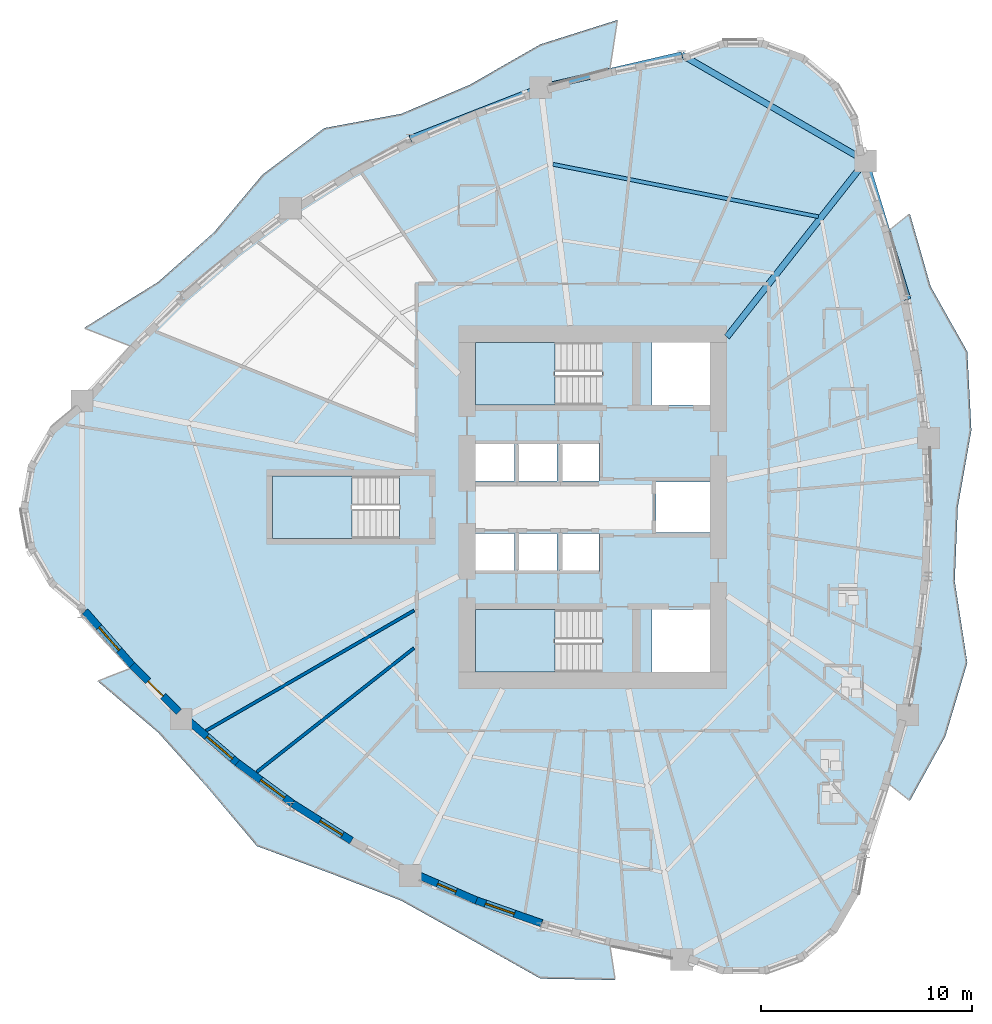
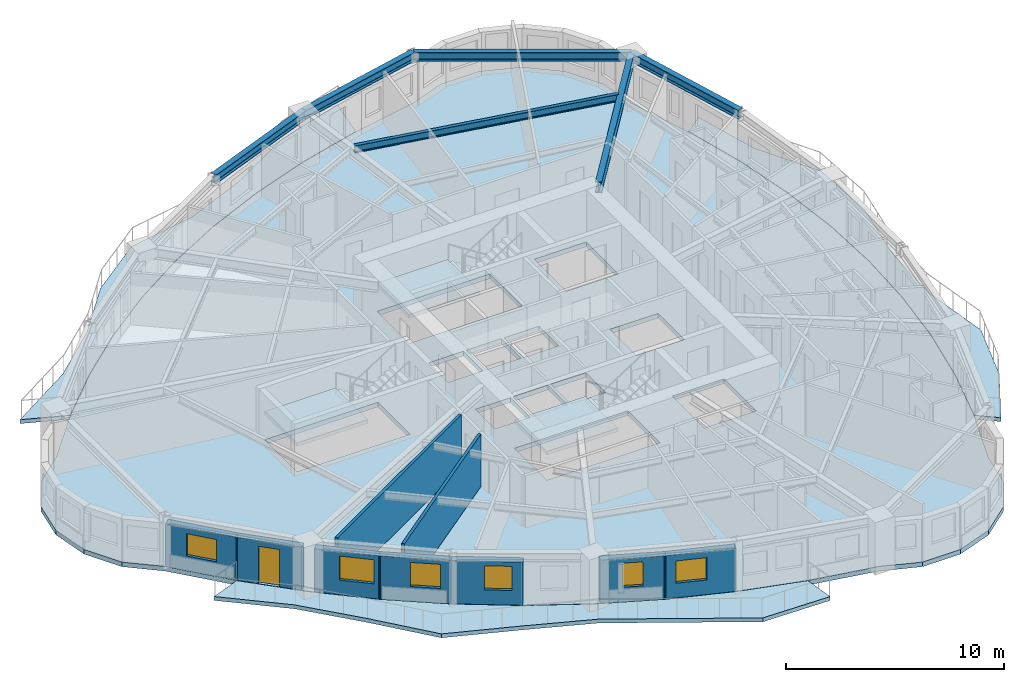
# One storey, part 2 of 13: 9 walls, 7 slabs, 6 beams, 6 windows, 1 door, 7 openings, 3 elements without a shape of their own.
"""IFC4 building model written with IfcOpenShell, lengths in metres."""

import ifcopenshell
import ifcopenshell.guid

model = None  # the IFC model being written
_history = None  # IfcOwnerHistory: only IFC2X3 demands one
_inside = {}  # id of a spatial element -> (the spatial element, [elements in it])
_under = {}  # id of a project, library or spatial element -> (it, [spatial elements below it])
_declared = {}  # id of a project -> (the project, [libraries it declares])
_typed = {}  # id of a type object -> (the type object, [elements of that type])
_made_of = {}  # id of a material, layer set ... -> (it, [elements and type objects made of it])


def new_model(schema):
    """Start an empty IFC model of exactly this schema.

    Asked for "IFC4X3", IfcOpenShell would pick the latest addendum, in which some entities
    have other attributes; the version numbers below select the first issue.
    IFC2X3 requires an IfcOwnerHistory on every rooted entity: one is made here for all.
    """
    global model, _history
    if schema == "IFC4X3":
        model = ifcopenshell.file(schema_version=(4, 3, 0, 0))
    else:
        model = ifcopenshell.file(schema=schema)
    _inside.clear()
    _under.clear()
    _declared.clear()
    _typed.clear()
    _made_of.clear()
    _history = None
    if model.schema == "IFC2X3":
        org = make("IfcOrganization", Name="unknown")
        user = make(
            "IfcPersonAndOrganization",
            ThePerson=make("IfcPerson", FamilyName="unknown"),
            TheOrganization=org,
        )
        app = make(
            "IfcApplication",
            ApplicationDeveloper=org,
            Version="unknown",
            ApplicationFullName="unknown",
            ApplicationIdentifier="unknown",
        )
        _history = make(
            "IfcOwnerHistory",
            OwningUser=user,
            OwningApplication=app,
            ChangeAction="ADDED",
            CreationDate=0,
        )
    return model


def make(cls, **values):
    """One entity of the class cls with the attributes given. An attribute that is None is left unset."""
    return model.create_entity(
        cls, **{name: value for name, value in values.items() if value is not None}
    )


def rooted(cls, **values):
    """An entity with a GlobalId (a new one), such as an element, a storey or a relation."""
    return make(cls, GlobalId=ifcopenshell.guid.new(), OwnerHistory=_history, **values)


def si_unit(unit_type, name, prefix=None):
    """IfcSIUnit, for example si_unit("LENGTHUNIT", "METRE", prefix="MILLI")."""
    return make("IfcSIUnit", UnitType=unit_type, Prefix=prefix, Name=name)


def assignment(units):
    """IfcUnitAssignment: the units of a project."""
    return None if units is None else make("IfcUnitAssignment", Units=units)


def point(xyz):
    """IfcCartesianPoint."""
    return None if xyz is None else make("IfcCartesianPoint", Coordinates=xyz)


def direction(xyz):
    """IfcDirection."""
    return None if xyz is None else make("IfcDirection", DirectionRatios=xyz)


def frame(location, z_axis=None, x_axis=None):
    """IfcAxis2Placement3D, a coordinate frame: its origin and axes. An axis left out is left unset."""
    return make(
        "IfcAxis2Placement3D",
        Location=point(location),
        Axis=direction(z_axis),
        RefDirection=direction(x_axis),
    )


def frame_2d(location, x_axis=None):
    """IfcAxis2Placement2D, a coordinate frame in the plane: its origin and x axis."""
    return make(
        "IfcAxis2Placement2D", Location=point(location), RefDirection=direction(x_axis)
    )


def origin():
    """The frame at (0, 0, 0) with its axes left unset."""
    return frame((0.0, 0.0, 0.0))


def origin_2d():
    """The frame at (0, 0) in the plane with its x axis left unset."""
    return frame_2d((0.0, 0.0))


def place(relative_to, where):
    """IfcLocalPlacement: puts the frame where relative to a parent placement (None: the world)."""
    return make(
        "IfcLocalPlacement", PlacementRelTo=relative_to, RelativePlacement=where
    )


def context(
    kind, dimensions, precision=None, world=None, true_north=None, identifier=None
):
    """IfcGeometricRepresentationContext, for example the 3D "Model" context."""
    return make(
        "IfcGeometricRepresentationContext",
        ContextIdentifier=identifier,
        ContextType=kind,
        CoordinateSpaceDimension=dimensions,
        Precision=precision,
        WorldCoordinateSystem=world,
        TrueNorth=true_north,
    )


def subcontext(parent, identifier, kind, view, scale=None):
    """IfcGeometricRepresentationSubContext, for example "Body" below "Model"."""
    return make(
        "IfcGeometricRepresentationSubContext",
        ContextIdentifier=identifier,
        ContextType=kind,
        ParentContext=parent,
        TargetScale=scale,
        TargetView=view,
    )


def project(units=None, contexts=None):
    """IfcProject with its units and contexts."""
    return rooted(
        "IfcProject",
        Name="project",
        RepresentationContexts=contexts,
        UnitsInContext=assignment(units),
    )


def spatial(cls, under=None, at=None, **own):
    """A site, building, storey or space (cls), placed at a placement, below another one or the project."""
    s = rooted(cls, ObjectPlacement=at, **own)
    if under is not None:
        _under.setdefault(under.id(), (under, []))[1].append(s)
    return s


def polyline(points):
    """IfcPolyline through the points."""
    return make("IfcPolyline", Points=[point(p) for p in points])


def profile(cls, at=None, kind="AREA", **sizes):
    """A parametric profile (cls). Its sizes go by their IFC names, for example OverallWidth=200.0."""
    return make(cls, ProfileType=kind, Position=at, **sizes)


def rectangle(**sizes):
    """IfcRectangleProfileDef."""
    return profile("IfcRectangleProfileDef", **sizes)


def i_section(**sizes):
    """IfcIShapeProfileDef."""
    return profile("IfcIShapeProfileDef", **sizes)


def outline(outer, holes=None, kind="AREA"):
    """IfcArbitraryClosedProfileDef: a profile drawn as a closed curve; with holes, ...WithVoids."""
    if holes is None:
        return make("IfcArbitraryClosedProfileDef", ProfileType=kind, OuterCurve=outer)
    return make(
        "IfcArbitraryProfileDefWithVoids",
        ProfileType=kind,
        OuterCurve=outer,
        InnerCurves=holes,
    )


def extrude(swept, where, along, depth):
    """IfcExtrudedAreaSolid: the profile swept, set in the frame where, extruded along a direction by depth."""
    return make(
        "IfcExtrudedAreaSolid",
        SweptArea=swept,
        Position=where,
        ExtrudedDirection=direction(along),
        Depth=depth,
    )


def shape(context_of_items, identifier, shape_type, items):
    """IfcShapeRepresentation: the items that make up one representation, for example the "Body"."""
    return make(
        "IfcShapeRepresentation",
        ContextOfItems=context_of_items,
        RepresentationIdentifier=identifier,
        RepresentationType=shape_type,
        Items=items,
    )


def source(mapping_origin, context_of_items, identifier, shape_type, items):
    """IfcRepresentationMap: a shape defined once, which mapped items show again and again."""
    return make(
        "IfcRepresentationMap",
        MappingOrigin=mapping_origin,
        MappedRepresentation=shape(context_of_items, identifier, shape_type, items),
    )


def transform(
    local_origin,
    x_axis=None,
    y_axis=None,
    z_axis=None,
    scale=None,
    scale2=None,
    scale3=None,
    uniform=True,
):
    """IfcCartesianTransformationOperator3D, or its non-uniform kind. x_axis, y_axis, z_axis: its Axis1, 2, 3."""
    if uniform:
        return make(
            "IfcCartesianTransformationOperator3D",
            Axis1=direction(x_axis),
            Axis2=direction(y_axis),
            LocalOrigin=point(local_origin),
            Scale=scale,
            Axis3=direction(z_axis),
        )
    return make(
        "IfcCartesianTransformationOperator3DnonUniform",
        Axis1=direction(x_axis),
        Axis2=direction(y_axis),
        LocalOrigin=point(local_origin),
        Scale=scale,
        Axis3=direction(z_axis),
        Scale2=scale2,
        Scale3=scale3,
    )


def mapped(mapping_source, mapping_target):
    """IfcMappedItem: shows the shape of a source again, moved by a transform."""
    return make(
        "IfcMappedItem", MappingSource=mapping_source, MappingTarget=mapping_target
    )


def material(Name=None, Category=None):
    """IfcMaterial."""
    return make("IfcMaterial", Name=Name, Category=Category)


def layer(
    of_material, thickness, ventilated=None, Name=None, Category=None, Priority=None
):
    """IfcMaterialLayer: one layer of a wall or slab, of a material (None: an air gap)."""
    return make(
        "IfcMaterialLayer",
        Material=of_material,
        LayerThickness=thickness,
        IsVentilated=ventilated,
        Name=Name,
        Category=Category,
        Priority=Priority,
    )


def layer_set(layers, Name=None):
    """IfcMaterialLayerSet."""
    return make("IfcMaterialLayerSet", MaterialLayers=layers, LayerSetName=Name)


def material_profile(
    of_material, cross_section, Name=None, Category=None, Priority=None
):
    """IfcMaterialProfile: a cross section and its material."""
    return make(
        "IfcMaterialProfile",
        Name=Name,
        Material=of_material,
        Profile=cross_section,
        Priority=Priority,
        Category=Category,
    )


def profile_set(profiles, Name=None, composite=None):
    """IfcMaterialProfileSet."""
    return make(
        "IfcMaterialProfileSet",
        Name=Name,
        MaterialProfiles=profiles,
        CompositeProfile=composite,
    )


def made_of(thing, what):
    """Note that an element or type object is made of a material, layer set ...; save() writes the relation."""
    if what is not None:
        _made_of.setdefault(what.id(), (what, []))[1].append(thing)
    return thing


def type_object(cls, material=None, **own):
    """A type object (cls), such as IfcWallType, which elements share."""
    return made_of(rooted(cls, **own), material)


def element(
    cls,
    number,
    at=None,
    inside=None,
    cuts=None,
    type_object=None,
    material=None,
    context=None,
    identifier="Body",
    shape_type=None,
    held_by="IfcProductDefinitionShape",
    body=None,
    shapes=None,
    **own,
):
    """One element of the class cls, such as IfcWall. Its Tag is "e" and its number.

    at: its placement. inside: the storey or other place that contains it. cuts: it is an
    opening in that element (IfcRelVoidsElement). A single representation is given by context,
    identifier, shape_type and body (its items); several are given by shapes. held_by: the class
    of the entity that holds the representations. save() writes the other relations.
    """
    e = rooted(cls, Tag="e%d" % number, ObjectPlacement=at, **own)
    if body is not None:
        shapes = [shape(context, identifier, shape_type, body)]
    if shapes is not None:
        e.Representation = make(held_by, Representations=shapes)
    if inside is not None:
        _inside.setdefault(inside.id(), (inside, []))[1].append(e)
    if cuts is not None:
        rooted(
            "IfcRelVoidsElement", RelatingBuildingElement=cuts, RelatedOpeningElement=e
        )
    if type_object is not None:
        _typed.setdefault(type_object.id(), (type_object, []))[1].append(e)
    return made_of(e, material)


def fill(opening, filler):
    """IfcRelFillsElement: the door or window that sits in an opening."""
    return rooted(
        "IfcRelFillsElement",
        RelatingOpeningElement=opening,
        RelatedBuildingElement=filler,
    )


def aggregate(whole, parts):
    """IfcRelAggregates: a whole, such as a stair, and the parts it consists of."""
    return rooted("IfcRelAggregates", RelatingObject=whole, RelatedObjects=parts)


def save(model, path):
    """Write the relations noted so far, then the file.

    IfcRelAggregates (storeys below a building ...), IfcRelContainedInSpatialStructure (elements
    in a storey), IfcRelDefinesByType, IfcRelAssociatesMaterial and IfcRelDeclares: one each for
    every whole, place, type object, material and project.
    """
    for whole, parts in _under.values():
        aggregate(whole, parts)
    for where, things in _inside.values():
        rooted(
            "IfcRelContainedInSpatialStructure",
            RelatedElements=things,
            RelatingStructure=where,
        )
    for kind, things in _typed.values():
        rooted("IfcRelDefinesByType", RelatedObjects=things, RelatingType=kind)
    for what, things in _made_of.values():
        rooted("IfcRelAssociatesMaterial", RelatedObjects=things, RelatingMaterial=what)
    for by, libraries in _declared.values():
        rooted("IfcRelDeclares", RelatingContext=by, RelatedDefinitions=libraries)
    model.write(path)


model = new_model("IFC4")

# Units and contexts
model_context = context("Model", 3, precision=1e-05, world=origin(), true_north=direction((0.0, 1.0)))
body_context = subcontext(model_context, "Body", "Model", "MODEL_VIEW")
ifc_project = project(units=[si_unit("LENGTHUNIT", "METRE"), si_unit("AREAUNIT", "SQUARE_METRE"), si_unit("VOLUMEUNIT", "CUBIC_METRE"), si_unit("PLANEANGLEUNIT", "RADIAN"), si_unit("MASSUNIT", "GRAM", prefix="KILO")], contexts=[model_context])

# Site, building, storey
site_placement = place(None, origin())
site = spatial("IfcSite", under=ifc_project, at=site_placement, CompositionType="ELEMENT")
building_placement = place(site_placement, origin())
building = spatial("IfcBuilding", under=site, at=building_placement, Name="Qafzar Sky-Pleat Residences", CompositionType="ELEMENT")
storey_placement = place(building_placement, frame((0.0, 0.0, 55.800048828125)))
storey = spatial("IfcBuildingStorey", under=building, at=storey_placement, Name="L16", CompositionType="ELEMENT", Elevation=55.800048828125)

# Beams
ifc_material_1 = material(Name="Steel S355", Category="steel")
ifc_material_profile_1 = material_profile(ifc_material_1, i_section(OverallWidth=0.300048828125, OverallDepth=0.5, WebThickness=0.014404296875, FlangeThickness=0.028076171875, FilletRadius=0.027099609375, at=origin_2d()), Name="HEB 500")
ifc_profile_set_1 = profile_set([ifc_material_profile_1], Name="Steel S355")
beam_type_1 = type_object("IfcBeamType", Name="BM-SPAN-HEB500", PredefinedType="SPANDREL", material=ifc_profile_set_1)
shared_shape_1 = source(origin(), body_context, "Body", "SweptSolid", [
    extrude(i_section(OverallWidth=0.300048828125, OverallDepth=0.5, WebThickness=0.014404296875, FlangeThickness=0.028076171875, FilletRadius=0.027099609375, at=origin_2d()), origin(), (0.0, 0.0, 1.0), 10.0458984375),
])
beam_1_placement = place(storey_placement, frame((43.262451171875, 42.389404296875, 2.68798828125), z_axis=(-0.866013584312, 0.500020471368, 0.0), x_axis=(-0.500020471368, -0.866013584312, 0.0)))
element("IfcBeam", 1, at=beam_1_placement, inside=storey, type_object=beam_type_1, Name="L16 Perimeter Spandrel Beam 13", PredefinedType="SPANDREL", context=body_context, shape_type="MappedRepresentation", body=[
    mapped(shared_shape_1, transform((0.0, 0.0, 0.0), x_axis=(1.0, 0.0, 0.0), y_axis=(0.0, 1.0, 0.0), z_axis=(0.0, 0.0, 1.0), scale=1.0)),
])
shared_shape_2 = source(origin(), body_context, "Body", "SweptSolid", [
    extrude(i_section(OverallWidth=0.300048828125, OverallDepth=0.5, WebThickness=0.014404296875, FlangeThickness=0.028076171875, FilletRadius=0.027099609375, at=origin_2d()), origin(), (0.0, 0.0, 1.0), 6.85205078125),
])
for number, where, z_axis, x_axis, name in (
    (2, (45.255615234375, 35.833740234375, 2.68798828125), (-0.290889380192, 0.95675669242, 0.0), (-0.95675669242, -0.290889380192, 0.0), "L16 Perimeter Spandrel Beam 12"),
    (3, (34.5625, 47.41259765625, 2.68798828125), (-0.974011500326, -0.226498559007, 0.0), (0.226498559007, -0.974011500326, 0.0), "L16 Perimeter Spandrel Beam 14"),
):
    element("IfcBeam", number, at=place(storey_placement, frame(where, z_axis=z_axis, x_axis=x_axis)), inside=storey, type_object=beam_type_1, Name=name, PredefinedType="SPANDREL", context=body_context, shape_type="MappedRepresentation", body=[
        mapped(shared_shape_2, transform((0.0, 0.0, 0.0), x_axis=(1.0, 0.0, 0.0), y_axis=(0.0, 1.0, 0.0), z_axis=(0.0, 0.0, 1.0), scale=1.0)),
    ])
shared_shape_3 = source(origin(), body_context, "Body", "SweptSolid", [
    extrude(i_section(OverallWidth=0.300048828125, OverallDepth=0.5, WebThickness=0.014404296875, FlangeThickness=0.028076171875, FilletRadius=0.027099609375, at=origin_2d()), origin(), (0.0, 0.0, 1.0), 6.630859375),
])
beam_2_placement = place(storey_placement, frame((27.888427734375, 45.860595703125, 2.68798828125), z_axis=(-0.931318267356, -0.364206376782, 0.0), x_axis=(0.364206376782, -0.931318267356, 0.0)))
element("IfcBeam", 4, at=beam_2_placement, inside=storey, type_object=beam_type_1, Name="L16 Perimeter Spandrel Beam 15", PredefinedType="SPANDREL", context=body_context, shape_type="MappedRepresentation", body=[
    mapped(shared_shape_3, transform((0.0, 0.0, 0.0), x_axis=(1.0, 0.0, 0.0), y_axis=(0.0, 1.0, 0.0), z_axis=(0.0, 0.0, 1.0), scale=1.0)),
])
ifc_material_profile_2 = material_profile(ifc_material_1, i_section(OverallWidth=0.300048828125, OverallDepth=0.60009765625, WebThickness=0.015380859375, FlangeThickness=0.030029296875, FilletRadius=0.027099609375, at=origin_2d()), Name="HEB 600")
ifc_profile_set_2 = profile_set([ifc_material_profile_2], Name="Steel S355")
beam_type_2 = type_object("IfcBeamType", Name="BM-GIRD-HEB600", PredefinedType="BEAM", material=ifc_profile_set_2)
shared_shape_4 = source(origin(), body_context, "Body", "SweptSolid", [
    extrude(i_section(OverallWidth=0.300048828125, OverallDepth=0.60009765625, WebThickness=0.015380859375, FlangeThickness=0.030029296875, FilletRadius=0.027099609375, at=origin_2d()), origin(), (0.0, 0.0, 1.0), 10.604248046875),
])
beam_3_placement = place(storey_placement, frame((43.262451171875, 42.389404296875, 2.637939453125), z_axis=(-0.618860173659, -0.785501168337, 0.0), x_axis=(0.785501168337, -0.618860173659, 0.0)))
element("IfcBeam", 5, at=beam_3_placement, inside=storey, type_object=beam_type_2, Name="L16 Radial Floor Girder 13", PredefinedType="BEAM", context=body_context, shape_type="MappedRepresentation", body=[
    mapped(shared_shape_4, transform((0.0, 0.0, 0.0), x_axis=(1.0, 0.0, 0.0), y_axis=(0.0, 1.0, 0.0), z_axis=(0.0, 0.0, 1.0), scale=1.0)),
])
ifc_material_profile_3 = material_profile(ifc_material_1, i_section(OverallWidth=0.179931640625, OverallDepth=0.39990234375, WebThickness=0.008544921875, FlangeThickness=0.013427734375, FilletRadius=0.02099609375, at=origin_2d()), Name="IPE 400")
ifc_profile_set_3 = profile_set([ifc_material_profile_3], Name="Steel S355")
beam_type_3 = type_object("IfcBeamType", Name="BM-JST-IPE400", PredefinedType="JOIST", material=ifc_profile_set_3)
shared_shape_5 = source(origin(), body_context, "Body", "SweptSolid", [
    extrude(i_section(OverallWidth=0.179931640625, OverallDepth=0.39990234375, WebThickness=0.008544921875, FlangeThickness=0.013427734375, FilletRadius=0.02099609375, at=origin_2d()), origin(), (0.0, 0.0, 1.0), 12.80517578125),
])
beam_4_placement = place(storey_placement, frame((41.030029296875, 39.750244140625, 2.738037109375), z_axis=(-0.981055151517, 0.193728649615, 0.0), x_axis=(-0.193728649615, -0.981055151517, 0.0)))
element("IfcBeam", 6, at=beam_4_placement, inside=storey, type_object=beam_type_3, Name="L16 Outer Secondary Floor Joist 7", PredefinedType="JOIST", context=body_context, shape_type="MappedRepresentation", body=[
    mapped(shared_shape_5, transform((0.0, 0.0, 0.0), x_axis=(1.0, 0.0, 0.0), y_axis=(0.0, 1.0, 0.0), z_axis=(0.0, 0.0, 1.0), scale=1.0)),
])

# Slabs
ifc_material_2 = material(Name="Concrete C40/50", Category="concrete")
ifc_layer_1 = layer(ifc_material_2, 0.219970703125)
ifc_layer_set_1 = layer_set([ifc_layer_1], Name="Concrete C40/50")
slab_type_1 = type_object("IfcSlabType", Name="SLAB-BAL-220", PredefinedType="USERDEFINED", material=ifc_layer_set_1)
slab_1_placement = place(storey_placement, frame((0.0, 0.0, -0.219970703125)))
element("IfcSlab", 7, at=slab_1_placement, inside=storey, type_object=slab_type_1, Name="L16 Pleated Stone Balcony 1", ObjectType="BALCONY", PredefinedType="USERDEFINED", context=body_context, shape_type="SweptSolid", body=[
    extrude(outline(polyline([(45.265869140625, 16.160400390625), (45.8896484375, 19.440185546875), (46.263916015625, 22.719970703125), (46.388427734375, 26.0), (46.263916015625, 29.280029296875), (45.8896484375, 32.559814453125), (45.265869140625, 35.839599609375), (44.392822265625, 39.119140625), (45.359375, 39.892578125), (46.341552734375, 36.45263671875), (48.077880859375, 33.3623046875), (48.269775390625, 29.640380859375), (47.62646484375, 26.0), (47.482421875, 22.501220703125), (48.077880859375, 18.6376953125), (47.03662109375, 15.1513671875), (45.359375, 12.107421875), (44.392822265625, 12.880859375), (45.265869140625, 16.160400390625)])), origin(), (0.0, 0.0, 1.0), 0.219970703125),
])
slab_2_placement = place(storey_placement, frame((0.0, 0.0, -0.219970703125)))
element("IfcSlab", 8, at=slab_2_placement, inside=storey, type_object=slab_type_1, Name="L16 Pleated Stone Balcony 2", ObjectType="BALCONY", PredefinedType="USERDEFINED", context=body_context, shape_type="SweptSolid", body=[
    extrude(outline(polyline([(27.888427734375, 45.87255859375), (24.736328125, 44.772705078125), (21.708740234375, 43.456787109375), (18.8056640625, 41.9248046875), (16.027587890625, 40.177001953125), (13.374267578125, 38.212890625), (10.845703125, 36.032958984375), (8.44189453125, 33.63720703125), (6.27099609375, 34.485107421875), (9.777099609375, 36.657958984375), (12.423828125, 39.00634765625), (14.712646484375, 41.73388671875), (17.640380859375, 43.943359375), (21.2890625, 44.62158203125), (24.5244140625, 45.992431640625), (27.876953125, 47.910400390625), (31.516357421875, 49.060302734375), (31.1650390625, 46.75634765625), (27.888427734375, 45.87255859375)])), origin(), (0.0, 0.0, 1.0), 0.219970703125),
])
slab_3_placement = place(storey_placement, frame((0.0, 0.0, -0.219970703125)))
element("IfcSlab", 9, at=slab_3_placement, inside=storey, type_object=slab_type_1, Name="L16 Pleated Stone Balcony 3", ObjectType="BALCONY", PredefinedType="USERDEFINED", context=body_context, shape_type="SweptSolid", body=[
    extrude(outline(polyline([(10.845703125, 15.967041015625), (13.374267578125, 13.787109375), (16.027587890625, 11.822998046875), (18.8056640625, 10.0751953125), (21.708740234375, 8.543212890625), (24.736328125, 7.227294921875), (27.888427734375, 6.12744140625), (31.1650390625, 5.24365234375), (31.411865234375, 3.62451171875), (27.874755859375, 3.689453125), (24.455810546875, 5.613525390625), (21.2890625, 7.37841796875), (17.98681640625, 8.656494140625), (14.45458984375, 9.96044921875), (12.116943359375, 12.7373046875), (9.777099609375, 15.342041015625), (6.916259765625, 17.76708984375), (8.44189453125, 18.36279296875), (10.845703125, 15.967041015625)])), origin(), (0.0, 0.0, 1.0), 0.219970703125),
])
ifc_layer_2 = layer(ifc_material_2, 0.260009765625)
ifc_layer_set_2 = layer_set([ifc_layer_2], Name="Concrete C40/50")
slab_type_2 = type_object("IfcSlabType", Name="SLAB-FLR-260", PredefinedType="FLOOR", material=ifc_layer_set_2)
slab_4_placement = place(storey_placement, frame((0.0, 0.0, -0.260009765625)))
element("IfcSlab", 10, at=slab_4_placement, inside=storey, type_object=slab_type_2, Name="L16 Structural Floor Slab", PredefinedType="FLOOR", context=body_context, shape_type="SweptSolid", body=[
    extrude(outline(polyline([(6.175048828125, 31.02294921875), (4.6318359375, 29.728271484375), (3.624755859375, 27.983642578125), (3.27490234375, 26.0), (3.624755859375, 24.016357421875), (4.6318359375, 22.271728515625), (6.175048828125, 20.97705078125), (8.453125, 18.3671875), (10.85595703125, 15.97314453125), (13.38330078125, 13.794921875), (16.035400390625, 11.832275390625), (18.811767578125, 10.08544921875), (21.712890625, 8.554443359375), (24.73828125, 7.239013671875), (27.888427734375, 6.139404296875), (31.1630859375, 5.255615234375), (34.5625, 4.58740234375), (36.455322265625, 3.898681640625), (38.4697265625, 3.898681640625), (40.362548828125, 4.58740234375), (41.905517578125, 5.88232421875), (42.91259765625, 7.626708984375), (43.262451171875, 9.610595703125), (44.383544921875, 12.888427734375), (45.255615234375, 16.166259765625), (45.87841796875, 19.444091796875), (46.251953125, 22.72216796875), (46.37646484375, 26.0), (46.251953125, 29.27783203125), (45.87841796875, 32.555908203125), (45.255615234375, 35.833740234375), (44.383544921875, 39.111572265625), (43.262451171875, 42.389404296875), (42.91259765625, 44.373291015625), (41.905517578125, 46.11767578125), (40.362548828125, 47.41259765625), (38.4697265625, 48.101318359375), (36.455322265625, 48.101318359375), (34.5625, 47.41259765625), (31.1630859375, 46.744384765625), (27.888427734375, 45.860595703125), (24.73828125, 44.760986328125), (21.712890625, 43.445556640625), (18.811767578125, 41.91455078125), (16.035400390625, 40.167724609375), (13.38330078125, 38.205078125), (10.85595703125, 36.02685546875), (8.453125, 33.6328125), (6.175048828125, 31.02294921875)]), holes=[polyline([(30.797119140625, 21.14990234375), (24.800048828125, 21.14990234375), (24.800048828125, 18.199951171875), (30.797119140625, 18.199951171875), (30.797119140625, 21.14990234375)]), polyline([(30.797119140625, 33.800048828125), (24.800048828125, 33.800048828125), (24.800048828125, 30.85009765625), (30.797119140625, 30.85009765625), (30.797119140625, 33.800048828125)]), polyline([(21.197021484375, 27.47509765625), (15.199951171875, 27.47509765625), (15.199951171875, 24.52490234375), (21.197021484375, 24.52490234375), (21.197021484375, 27.47509765625)]), polyline([(24.800048828125, 22.949951171875), (26.64990234375, 22.949951171875), (26.64990234375, 24.75), (24.800048828125, 24.75), (24.800048828125, 22.949951171875)]), polyline([(26.800048828125, 22.949951171875), (28.64990234375, 22.949951171875), (28.64990234375, 24.75), (26.800048828125, 24.75), (26.800048828125, 22.949951171875)]), polyline([(28.800048828125, 22.949951171875), (30.64990234375, 22.949951171875), (30.64990234375, 24.75), (28.800048828125, 24.75), (28.800048828125, 22.949951171875)]), polyline([(24.800048828125, 27.25), (26.64990234375, 27.25), (26.64990234375, 29.050048828125), (24.800048828125, 29.050048828125), (24.800048828125, 27.25)]), polyline([(26.800048828125, 27.25), (28.64990234375, 27.25), (28.64990234375, 29.050048828125), (26.800048828125, 29.050048828125), (26.800048828125, 27.25)]), polyline([(28.800048828125, 27.25), (30.64990234375, 27.25), (30.64990234375, 29.050048828125), (28.800048828125, 29.050048828125), (28.800048828125, 27.25)]), polyline([(33.14990234375, 18.199951171875), (35.89990234375, 18.199951171875), (35.89990234375, 21.14990234375), (33.14990234375, 21.14990234375), (33.14990234375, 18.199951171875)]), polyline([(33.14990234375, 30.85009765625), (35.89990234375, 30.85009765625), (35.89990234375, 33.800048828125), (33.14990234375, 33.800048828125), (33.14990234375, 30.85009765625)]), polyline([(33.35009765625, 24.800048828125), (35.89990234375, 24.800048828125), (35.89990234375, 27.199951171875), (33.35009765625, 27.199951171875), (33.35009765625, 24.800048828125)])]), origin(), (0.0, 0.0, 1.0), 0.260009765625),
])

# Stair, slab
stair_type = type_object("IfcStairType", Name="STAIR-H320", PredefinedType="HALF_TURN_STAIR", material=ifc_material_2)
stair_1_placement = place(storey_placement, origin())
stair_1 = element("IfcStair", 11, at=stair_1_placement, inside=storey, type_object=stair_type, Name="L16 Protected Exit Stair ST1", PredefinedType="HALF_TURN_STAIR")
ifc_layer_3 = layer(ifc_material_2, 0.199951171875)
ifc_layer_set_3 = layer_set([ifc_layer_3], Name="Concrete C40/50")
slab_type_3 = type_object("IfcSlabType", Name="SLAB-LANDING-200", PredefinedType="LANDING", material=ifc_layer_set_3)
slab_5_placement = place(storey_placement, frame((0.0, 0.0, 1.39990234375)))
slab_5 = element("IfcSlab", 12, at=slab_5_placement, type_object=slab_type_3, Name="ST1 landing 1", PredefinedType="LANDING", context=body_context, shape_type="SweptSolid", body=[
    extrude(outline(polyline([(28.56005859375, 21.14990234375), (24.800048828125, 21.14990234375), (24.800048828125, 18.199951171875), (28.56005859375, 18.199951171875), (28.56005859375, 21.14990234375)])), origin(), (0.0, 0.0, 1.0), 0.199951171875),
])
aggregate(stair_1, [slab_5])

stair_2_placement = place(storey_placement, origin())
stair_2 = element("IfcStair", 13, at=stair_2_placement, inside=storey, type_object=stair_type, Name="L16 Protected Exit Stair ST2", PredefinedType="HALF_TURN_STAIR")
slab_6_placement = place(storey_placement, frame((0.0, 0.0, 1.39990234375)))
slab_6 = element("IfcSlab", 14, at=slab_6_placement, type_object=slab_type_3, Name="ST2 landing 1", PredefinedType="LANDING", context=body_context, shape_type="SweptSolid", body=[
    extrude(outline(polyline([(28.56005859375, 33.800048828125), (24.800048828125, 33.800048828125), (24.800048828125, 30.85009765625), (28.56005859375, 30.85009765625), (28.56005859375, 33.800048828125)])), origin(), (0.0, 0.0, 1.0), 0.199951171875),
])
aggregate(stair_2, [slab_6])

stair_3_placement = place(storey_placement, origin())
stair_3 = element("IfcStair", 15, at=stair_3_placement, inside=storey, type_object=stair_type, Name="L16 Protected Exit Stair ST3", PredefinedType="HALF_TURN_STAIR")
slab_7_placement = place(storey_placement, frame((0.0, 0.0, 1.39990234375)))
slab_7 = element("IfcSlab", 16, at=slab_7_placement, type_object=slab_type_3, Name="ST3 landing 1", PredefinedType="LANDING", context=body_context, shape_type="SweptSolid", body=[
    extrude(outline(polyline([(18.9599609375, 27.47509765625), (15.199951171875, 27.47509765625), (15.199951171875, 24.52490234375), (18.9599609375, 24.52490234375), (18.9599609375, 27.47509765625)])), origin(), (0.0, 0.0, 1.0), 0.199951171875),
])
aggregate(stair_3, [slab_7])

# Walls
ifc_material_3 = material(Name="Acoustic gypsum plasterboard partition", Category="gypsum")
ifc_layer_4 = layer(ifc_material_3, 0.14501953125)
ifc_layer_set_4 = layer_set([ifc_layer_4], Name="Acoustic gypsum plasterboard partition")
wall_type_1 = type_object("IfcWallType", Name="PART-UNIT-145", PredefinedType="PARTITIONING", material=ifc_layer_set_4)
wall_1_placement = place(storey_placement, frame((12.048583984375, 15.42236328125, 0.0), z_axis=(0.0, 0.0, 1.0), x_axis=(0.865775806306, 0.500432066534, 0.0)))
element("IfcWall", 17, at=wall_1_placement, inside=storey, type_object=wall_type_1, Name="L16 Partition Wall PART-L16-PW-036", PredefinedType="PARTITIONING", context=body_context, shape_type="SweptSolid", body=[
    extrude(rectangle(XDim=11.375, YDim=0.14501953125, at=frame_2d((5.6875, 0.0))), origin(), (0.0, 0.0, 1.0), 2.93994140625),
])
wall_2_placement = place(storey_placement, frame((14.4521484375, 13.472900390625, 0.0), z_axis=(0.0, 0.0, 1.0), x_axis=(0.785461283481, 0.618910794988, 0.0)))
element("IfcWall", 18, at=wall_2_placement, inside=storey, type_object=wall_type_1, Name="L16 Partition Wall PART-L16-PW-039", PredefinedType="PARTITIONING", context=body_context, shape_type="SweptSolid", body=[
    extrude(rectangle(XDim=9.468017578125, YDim=0.14501953125, at=frame_2d((4.73388671875, 0.0))), origin(), (0.0, 0.0, 1.0), 2.93994140625),
])

# Wall, opening, window
ifc_material_4 = material(Name="Precast concrete C40/50 with honed Riyadh limestone", Category="concrete")
ifc_layer_5 = layer(ifc_material_4, 0.35009765625)
ifc_layer_set_5 = layer_set([ifc_layer_5], Name="Precast concrete C40/50 with honed Riyadh limestone")
wall_type_2 = type_object("IfcWallType", Name="WALL-EXT-350", PredefinedType="SOLIDWALL", material=ifc_layer_set_5)
wall_3_placement = place(storey_placement, frame((6.320068359375, 21.0771484375, 0.0), z_axis=(0.0, 0.0, 1.0), x_axis=(0.657600811823, -0.753366559046, 0.0)))
wall_3 = element("IfcWall", 19, at=wall_3_placement, inside=storey, type_object=wall_type_2, Name="L16 Limestone Facade Wall 7", PredefinedType="SOLIDWALL", context=body_context, shape_type="SweptSolid", body=[
    extrude(rectangle(XDim=3.482421875, YDim=0.35009765625, at=frame_2d((1.7412109375, 0.0))), origin(), (0.0, 0.0, 1.0), 2.419921875),
])
opening_1_placement = place(wall_3_placement, frame((1.006103515625, 0.0, 0.820068359375)))
opening_1 = element("IfcOpeningElement", 20, at=opening_1_placement, cuts=wall_3, Name="Opening WN-15", PredefinedType="OPENING", context=body_context, shape_type="SweptSolid", body=[
    extrude(rectangle(XDim=1.449951171875, YDim=1.25, at=frame_2d((0.72509765625, 0.625))), frame((0.0, 0.18505859375, 0.0), z_axis=(0.0, -1.0, 0.0), x_axis=(1.0, 0.0, 0.0)), (0.0, 0.0, 1.0), 0.3701171875),
])
ifc_material_5 = material(Name="Solar-control low-E glass in bronze aluminium frame", Category="glass")
window_type_1 = type_object("IfcWindowType", Name="WIN-15", PartitioningType="SINGLE_PANEL", PredefinedType="WINDOW", material=ifc_material_5)
shared_shape_6 = source(origin(), body_context, "Body", "SweptSolid", [
    extrude(rectangle(XDim=1.449951171875, YDim=1.25, at=frame_2d((0.72509765625, 0.625))), frame((0.0, 0.030029296875, 0.0), z_axis=(0.0, -1.0, 0.0), x_axis=(1.0, 0.0, 0.0)), (0.0, 0.0, 1.0), 0.06005859375),
])
window_1_placement = place(opening_1_placement, origin())
window_1 = element("IfcWindow", 21, at=window_1_placement, inside=storey, type_object=window_type_1, Name="L16 Punched Facade Window 07", OverallHeight=1.25, OverallWidth=1.449951171875, PartitioningType="SINGLE_PANEL", PredefinedType="WINDOW", context=body_context, shape_type="MappedRepresentation", body=[
    mapped(shared_shape_6, transform((0.0, 0.0, 0.0), x_axis=(1.0, 0.0, 0.0), y_axis=(0.0, 1.0, 0.0), z_axis=(0.0, 0.0, 1.0), scale=1.0)),
])
fill(opening_1, window_1)

# Wall, opening, door
wall_4_placement = place(storey_placement, frame((8.5498046875, 18.51806640625, 0.0), z_axis=(0.0, 0.0, 1.0), x_axis=(0.708392603797, -0.705818616137, 0.0)))
wall_4 = element("IfcWall", 22, at=wall_4_placement, inside=storey, type_object=wall_type_2, Name="L16 Limestone Facade Wall 8", PredefinedType="SOLIDWALL", context=body_context, shape_type="SweptSolid", body=[
    extrude(rectangle(XDim=3.130126953125, YDim=0.35009765625, at=frame_2d((1.56494140625, 0.0))), origin(), (0.0, 0.0, 1.0), 2.419921875),
])
opening_2_placement = place(wall_4_placement, frame((1.06494140625, 0.0, 0.0)))
opening_2 = element("IfcOpeningElement", 23, at=opening_2_placement, cuts=wall_4, Name="Opening ED-05", PredefinedType="OPENING", context=body_context, shape_type="SweptSolid", body=[
    extrude(rectangle(XDim=1.0, YDim=2.10009765625, at=frame_2d((0.5, 1.050048828125))), frame((0.0, 0.18505859375, 0.0), z_axis=(0.0, -1.0, 0.0), x_axis=(1.0, 0.0, 0.0)), (0.0, 0.0, 1.0), 0.3701171875),
])
ifc_material_6 = material(Name="Glazed bronze aluminium door", Category="aluminium")
door_type = type_object("IfcDoorType", Name="DR-BAL-1000", OperationType="NOTDEFINED", PredefinedType="DOOR", material=ifc_material_6)
shared_shape_7 = source(origin(), body_context, "Body", "SweptSolid", [
    extrude(rectangle(XDim=1.0, YDim=2.10009765625, at=frame_2d((0.5, 1.050048828125))), frame((0.0, 0.02490234375, 0.0), z_axis=(0.0, -1.0, 0.0), x_axis=(1.0, 0.0, 0.0)), (0.0, 0.0, 1.0), 0.050048828125),
])
door_placement = place(opening_2_placement, origin())
door = element("IfcDoor", 24, at=door_placement, inside=storey, type_object=door_type, Name="L16 Glazed Balcony Door 3", OperationType="SINGLE_SWING_LEFT", OverallHeight=2.10009765625, OverallWidth=1.0, PredefinedType="DOOR", context=body_context, shape_type="MappedRepresentation", body=[
    mapped(shared_shape_7, transform((0.0, 0.0, 0.0), x_axis=(1.0, 0.0, 0.0), y_axis=(0.0, 1.0, 0.0), z_axis=(0.0, 0.0, 1.0), scale=1.0)),
])
fill(opening_2, door)

# Wall, opening, window
wall_5_placement = place(storey_placement, frame((11.197509765625, 15.909912109375, 0.0), z_axis=(0.0, 0.0, 1.0), x_axis=(0.757460062477, -0.652881500544, 0.0)))
wall_5 = element("IfcWall", 25, at=wall_5_placement, inside=storey, type_object=wall_type_2, Name="L16 Limestone Facade Wall 9", PredefinedType="SOLIDWALL", context=body_context, shape_type="SweptSolid", body=[
    extrude(rectangle(XDim=3.074462890625, YDim=0.35009765625, at=frame_2d((1.537109375, 0.0))), origin(), (0.0, 0.0, 1.0), 2.419921875),
])
opening_3_placement = place(wall_5_placement, frame((1.175048828125, 0.0, 0.820068359375)))
opening_3 = element("IfcOpeningElement", 26, at=opening_3_placement, cuts=wall_5, Name="Opening WN-09", PredefinedType="OPENING", context=body_context, shape_type="SweptSolid", body=[
    extrude(rectangle(XDim=1.60009765625, YDim=1.35009765625, at=frame_2d((0.800048828125, 0.675048828125))), frame((0.0, 0.18505859375, 0.0), z_axis=(0.0, -1.0, 0.0), x_axis=(1.0, 0.0, 0.0)), (0.0, 0.0, 1.0), 0.3701171875),
])
window_type_2 = type_object("IfcWindowType", Name="WIN-09", PartitioningType="DOUBLE_PANEL_VERTICAL", PredefinedType="WINDOW", material=ifc_material_5)
shared_shape_8 = source(origin(), body_context, "Body", "SweptSolid", [
    extrude(rectangle(XDim=1.60009765625, YDim=1.35009765625, at=frame_2d((0.800048828125, 0.675048828125))), frame((0.0, 0.030029296875, 0.0), z_axis=(0.0, -1.0, 0.0), x_axis=(1.0, 0.0, 0.0)), (0.0, 0.0, 1.0), 0.06005859375),
])
window_2_placement = place(opening_3_placement, origin())
window_2 = element("IfcWindow", 27, at=window_2_placement, inside=storey, type_object=window_type_2, Name="L16 Punched Facade Window 09-2", OverallHeight=1.35009765625, OverallWidth=1.60009765625, PartitioningType="SINGLE_PANEL", PredefinedType="WINDOW", context=body_context, shape_type="MappedRepresentation", body=[
    mapped(shared_shape_8, transform((0.0, 0.0, 0.0), x_axis=(1.0, 0.0, 0.0), y_axis=(0.0, 1.0, 0.0), z_axis=(0.0, 0.0, 1.0), scale=1.0)),
])
fill(opening_3, window_2)

wall_6_placement = place(storey_placement, frame((13.45703125, 13.958251953125, 0.0), z_axis=(0.0, 0.0, 1.0), x_axis=(0.803790514758, -0.594912437578, 0.0)))
wall_6 = element("IfcWall", 28, at=wall_6_placement, inside=storey, type_object=wall_type_2, Name="L16 Limestone Facade Wall 10", PredefinedType="SOLIDWALL", context=body_context, shape_type="SweptSolid", body=[
    extrude(rectangle(XDim=3.317138671875, YDim=0.35009765625, at=frame_2d((1.65869140625, 0.0))), origin(), (0.0, 0.0, 1.0), 2.419921875),
])
opening_4_placement = place(wall_6_placement, frame((1.468017578125, 0.0, 0.820068359375)))
opening_4 = element("IfcOpeningElement", 29, at=opening_4_placement, cuts=wall_6, Name="Opening WN-10", PredefinedType="OPENING", context=body_context, shape_type="SweptSolid", body=[
    extrude(rectangle(XDim=1.39990234375, YDim=1.35009765625, at=frame_2d((0.699951171875, 0.675048828125))), frame((0.0, 0.18505859375, 0.0), z_axis=(0.0, -1.0, 0.0), x_axis=(1.0, 0.0, 0.0)), (0.0, 0.0, 1.0), 0.3701171875),
])
window_type_3 = type_object("IfcWindowType", Name="WIN-10", PartitioningType="SINGLE_PANEL", PredefinedType="WINDOW", material=ifc_material_5)
shared_shape_9 = source(origin(), body_context, "Body", "SweptSolid", [
    extrude(rectangle(XDim=1.39990234375, YDim=1.35009765625, at=frame_2d((0.699951171875, 0.675048828125))), frame((0.0, 0.030029296875, 0.0), z_axis=(0.0, -1.0, 0.0), x_axis=(1.0, 0.0, 0.0)), (0.0, 0.0, 1.0), 0.06005859375),
])
window_3_placement = place(opening_4_placement, origin())
window_3 = element("IfcWindow", 30, at=window_3_placement, inside=storey, type_object=window_type_3, Name="L16 Punched Facade Window 10-2", OverallHeight=1.35009765625, OverallWidth=1.39990234375, PartitioningType="SINGLE_PANEL", PredefinedType="WINDOW", context=body_context, shape_type="MappedRepresentation", body=[
    mapped(shared_shape_9, transform((0.0, 0.0, 0.0), x_axis=(1.0, 0.0, 0.0), y_axis=(0.0, 1.0, 0.0), z_axis=(0.0, 0.0, 1.0), scale=1.0)),
])
fill(opening_4, window_3)

wall_7_placement = place(storey_placement, frame((16.1455078125, 11.9697265625, 0.0), z_axis=(0.0, 0.0, 1.0), x_axis=(0.846405860611, -0.532538373381, 0.0)))
wall_7 = element("IfcWall", 31, at=wall_7_placement, inside=storey, type_object=wall_type_2, Name="L16 Limestone Facade Wall 11", PredefinedType="SOLIDWALL", context=body_context, shape_type="SweptSolid", body=[
    extrude(rectangle(XDim=3.298095703125, YDim=0.35009765625, at=frame_2d((1.64892578125, 0.0))), origin(), (0.0, 0.0, 1.0), 2.419921875),
])
opening_5_placement = place(wall_7_placement, frame((1.531005859375, 0.0, 0.820068359375)))
opening_5 = element("IfcOpeningElement", 32, at=opening_5_placement, cuts=wall_7, Name="Opening WN-11", PredefinedType="OPENING", context=body_context, shape_type="SweptSolid", body=[
    extrude(rectangle(XDim=1.25, YDim=1.35009765625, at=frame_2d((0.625, 0.675048828125))), frame((0.0, 0.18505859375, 0.0), z_axis=(0.0, -1.0, 0.0), x_axis=(1.0, 0.0, 0.0)), (0.0, 0.0, 1.0), 0.3701171875),
])
window_type_4 = type_object("IfcWindowType", Name="WIN-11", PartitioningType="SINGLE_PANEL", PredefinedType="WINDOW", material=ifc_material_5)
shared_shape_10 = source(origin(), body_context, "Body", "SweptSolid", [
    extrude(rectangle(XDim=1.25, YDim=1.35009765625, at=frame_2d((0.625, 0.675048828125))), frame((0.0, 0.030029296875, 0.0), z_axis=(0.0, -1.0, 0.0), x_axis=(1.0, 0.0, 0.0)), (0.0, 0.0, 1.0), 0.06005859375),
])
window_4_placement = place(opening_5_placement, origin())
window_4 = element("IfcWindow", 33, at=window_4_placement, inside=storey, type_object=window_type_4, Name="L16 Punched Facade Window 11-2", OverallHeight=1.35009765625, OverallWidth=1.25, PartitioningType="SINGLE_PANEL", PredefinedType="WINDOW", context=body_context, shape_type="MappedRepresentation", body=[
    mapped(shared_shape_10, transform((0.0, 0.0, 0.0), x_axis=(1.0, 0.0, 0.0), y_axis=(0.0, 1.0, 0.0), z_axis=(0.0, 0.0, 1.0), scale=1.0)),
])
fill(opening_5, window_4)

wall_8_placement = place(storey_placement, frame((22.0576171875, 8.59521484375, 0.0), z_axis=(0.0, 0.0, 1.0), x_axis=(0.917112224483, -0.398629110458, 0.0)))
wall_8 = element("IfcWall", 34, at=wall_8_placement, inside=storey, type_object=wall_type_2, Name="L16 Limestone Facade Wall 13", PredefinedType="SOLIDWALL", context=body_context, shape_type="SweptSolid", body=[
    extrude(rectangle(XDim=3.037109375, YDim=0.35009765625, at=frame_2d((1.5185546875, 0.0))), origin(), (0.0, 0.0, 1.0), 2.419921875),
])
opening_6_placement = place(wall_8_placement, frame((1.03857421875, 0.0, 0.820068359375)))
opening_6 = element("IfcOpeningElement", 35, at=opening_6_placement, cuts=wall_8, Name="Opening WN-12", PredefinedType="OPENING", context=body_context, shape_type="SweptSolid", body=[
    extrude(rectangle(XDim=0.949951171875, YDim=1.35009765625, at=frame_2d((0.47509765625, 0.675048828125))), frame((0.0, 0.18505859375, 0.0), z_axis=(0.0, -1.0, 0.0), x_axis=(1.0, 0.0, 0.0)), (0.0, 0.0, 1.0), 0.3701171875),
])
window_type_5 = type_object("IfcWindowType", Name="WIN-12", PartitioningType="SINGLE_PANEL", PredefinedType="WINDOW", material=ifc_material_5)
shared_shape_11 = source(origin(), body_context, "Body", "SweptSolid", [
    extrude(rectangle(XDim=0.949951171875, YDim=1.35009765625, at=frame_2d((0.47509765625, 0.675048828125))), frame((0.0, 0.030029296875, 0.0), z_axis=(0.0, -1.0, 0.0), x_axis=(1.0, 0.0, 0.0)), (0.0, 0.0, 1.0), 0.06005859375),
])
window_5_placement = place(opening_6_placement, origin())
window_5 = element("IfcWindow", 36, at=window_5_placement, inside=storey, type_object=window_type_5, Name="L16 Punched Facade Window 13", OverallHeight=1.35009765625, OverallWidth=0.949951171875, PartitioningType="SINGLE_PANEL", PredefinedType="WINDOW", context=body_context, shape_type="MappedRepresentation", body=[
    mapped(shared_shape_11, transform((0.0, 0.0, 0.0), x_axis=(1.0, 0.0, 0.0), y_axis=(0.0, 1.0, 0.0), z_axis=(0.0, 0.0, 1.0), scale=1.0)),
])
fill(opening_6, window_5)

wall_9_placement = place(storey_placement, frame((24.76025390625, 7.416748046875, 0.0), z_axis=(0.0, 0.0, 1.0), x_axis=(0.944134890247, -0.329559264804, 0.0)))
wall_9 = element("IfcWall", 37, at=wall_9_placement, inside=storey, type_object=wall_type_2, Name="L16 Limestone Facade Wall 14", PredefinedType="SOLIDWALL", context=body_context, shape_type="SweptSolid", body=[
    extrude(rectangle(XDim=3.3544921875, YDim=0.35009765625, at=frame_2d((1.67724609375, 0.0))), origin(), (0.0, 0.0, 1.0), 2.419921875),
])
opening_7_placement = place(wall_9_placement, frame((0.543212890625, 0.0, 0.820068359375)))
opening_7 = element("IfcOpeningElement", 38, at=opening_7_placement, cuts=wall_9, Name="Opening WN-15", PredefinedType="OPENING", context=body_context, shape_type="SweptSolid", body=[
    extrude(rectangle(XDim=1.449951171875, YDim=1.25, at=frame_2d((0.72509765625, 0.625))), frame((0.0, 0.18505859375, 0.0), z_axis=(0.0, -1.0, 0.0), x_axis=(1.0, 0.0, 0.0)), (0.0, 0.0, 1.0), 0.3701171875),
])
window_6_placement = place(opening_7_placement, origin())
window_6 = element("IfcWindow", 39, at=window_6_placement, inside=storey, type_object=window_type_1, Name="L16 Punched Facade Window 14", OverallHeight=1.25, OverallWidth=1.449951171875, PartitioningType="SINGLE_PANEL", PredefinedType="WINDOW", context=body_context, shape_type="MappedRepresentation", body=[
    mapped(shared_shape_6, transform((0.0, 0.0, 0.0), x_axis=(1.0, 0.0, 0.0), y_axis=(0.0, 1.0, 0.0), z_axis=(0.0, 0.0, 1.0), scale=1.0)),
])
fill(opening_7, window_6)

save(model, "model.ifc")
